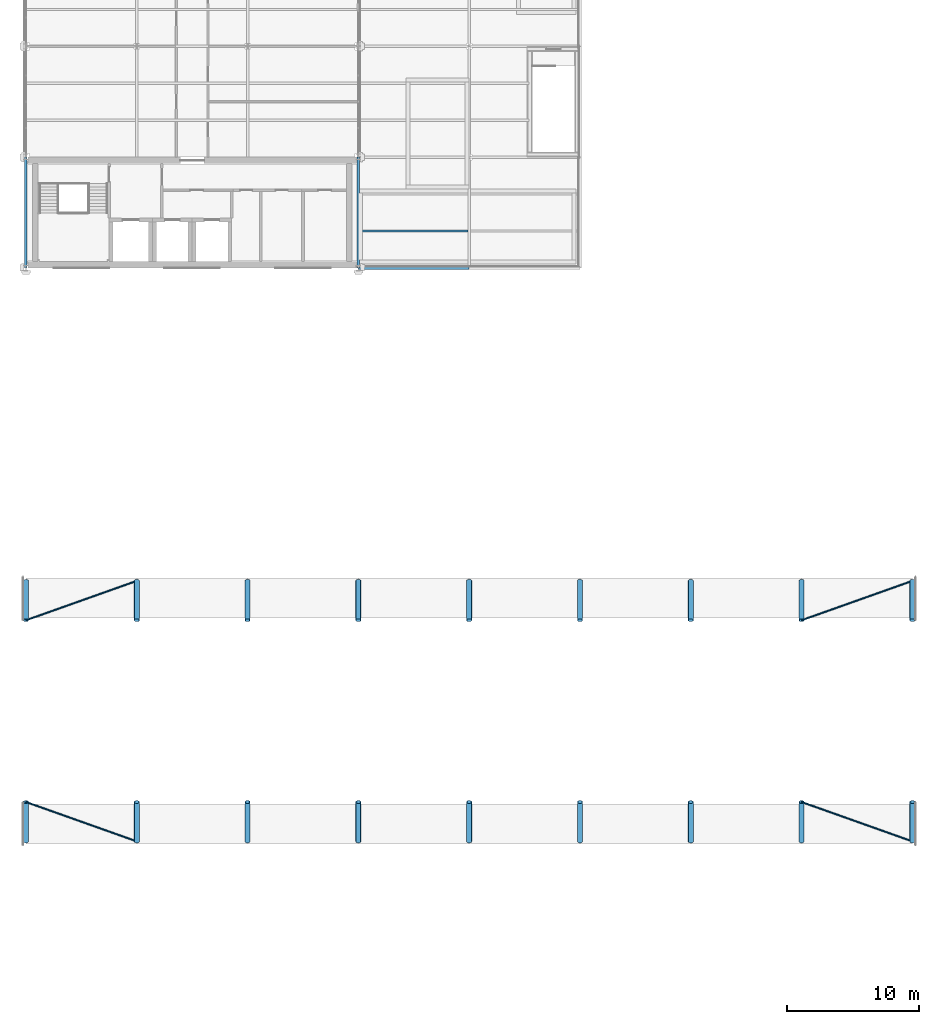
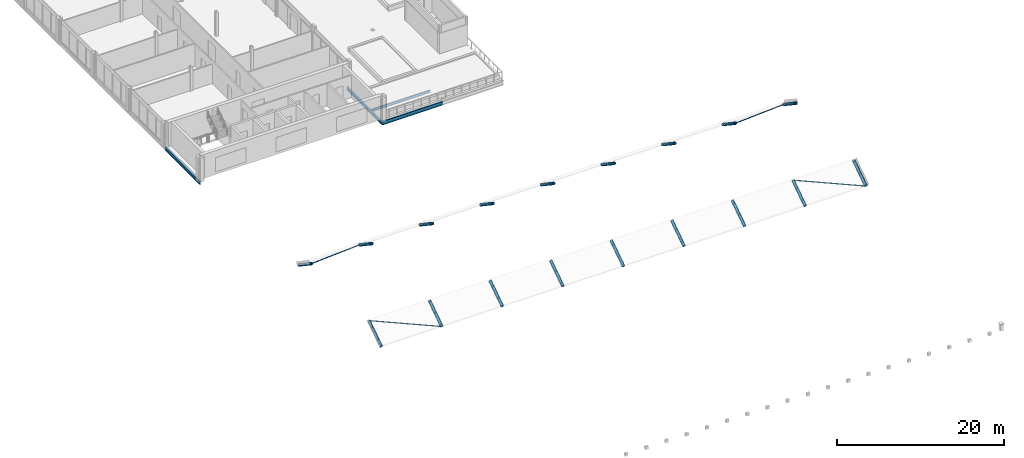
# One storey, part 3 of 32: 22 members, 4 beams.
"""IFC4 building model written with IfcOpenShell, lengths in metres."""

from ifc_helpers import new_model, si_unit, direction, frame, origin, origin_2d, place, context, subcontext, project, spatial, hollow_circle, i_section, extrude, material, material_profile, profile_set, type_object, element, save


model = new_model("IFC4")

# Units and contexts
model_context = context("Model", 3, precision=1e-05, world=origin(), true_north=direction((0.0, 1.0)))
body_context = subcontext(model_context, "Body", "Model", "MODEL_VIEW")
ifc_project = project(units=[si_unit("LENGTHUNIT", "METRE"), si_unit("AREAUNIT", "SQUARE_METRE"), si_unit("VOLUMEUNIT", "CUBIC_METRE"), si_unit("PLANEANGLEUNIT", "RADIAN"), si_unit("MASSUNIT", "GRAM", prefix="KILO")], contexts=[model_context])

# Site, building, storey
site_placement = place(None, origin())
site = spatial("IfcSite", under=ifc_project, at=site_placement, CompositionType="ELEMENT")
building_placement = place(site_placement, origin())
building = spatial("IfcBuilding", under=site, at=building_placement, Name="Catenary Quay Ferry Terminal", CompositionType="ELEMENT")
storey_placement = place(building_placement, frame((0.0, 0.0, 17.10009765625)))
storey = spatial("IfcBuildingStorey", under=building, at=storey_placement, Name="L03", CompositionType="ELEMENT", Elevation=17.10009765625)

# Beams
ifc_material_1 = material(Name="Steel S355", Category="steel")
ifc_material_profile_1 = material_profile(ifc_material_1, i_section(OverallWidth=0.18994140625, OverallDepth=0.453369140625, WebThickness=0.008544921875, FlangeThickness=0.0126953125, at=origin_2d()), Name="UB 457x191x67")
ifc_profile_set_1 = profile_set([ifc_material_profile_1], Name="Steel S355")
beam_type_1 = type_object("IfcBeamType", Name="B1 UB 457x191x67", PredefinedType="BEAM", material=ifc_profile_set_1)
for number, where, z_axis, x_axis, name in (
    (1, (25.199951171875, 159.60009765625, -0.47705078125), (0.0, 1.0, 0.0), (-1.0, 0.0, 0.0), "Beam B1-010"),
    (2, (50.39990234375, 159.60009765625, -0.47705078125), (0.0, 1.0, 0.0), (-1.0, 0.0, 0.0), "Beam B1-016"),
):
    element("IfcBeam", number, at=place(storey_placement, frame(where, z_axis=z_axis, x_axis=x_axis)), inside=storey, type_object=beam_type_1, Name=name, PredefinedType="BEAM", context=body_context, shape_type="SweptSolid", body=[
        extrude(i_section(OverallWidth=0.18994140625, OverallDepth=0.453369140625, WebThickness=0.008544921875, FlangeThickness=0.0126953125, at=origin_2d()), origin(), (0.0, 0.0, 1.0), 8.39990234375),
    ])
ifc_material_2 = material(Name="Steel S355", Category="steel")
ifc_material_profile_2 = material_profile(ifc_material_2, i_section(OverallWidth=0.208740234375, OverallDepth=0.5283203125, WebThickness=0.009521484375, FlangeThickness=0.01318359375, at=origin_2d()), Name="UB 533x210x82")
ifc_profile_set_2 = profile_set([ifc_material_profile_2], Name="Steel S355")
beam_type_2 = type_object("IfcBeamType", Name="B5 UB 533x210x82", PredefinedType="BEAM", material=ifc_profile_set_2)
beam_1_placement = place(storey_placement, frame((50.39990234375, 159.60009765625, -0.51416015625), z_axis=(1.0, 0.0, 0.0), x_axis=(0.0, 1.0, 0.0)))
element("IfcBeam", 3, at=beam_1_placement, inside=storey, type_object=beam_type_2, Name="Beam B5-001", PredefinedType="BEAM", context=body_context, shape_type="SweptSolid", body=[
    extrude(i_section(OverallWidth=0.208740234375, OverallDepth=0.5283203125, WebThickness=0.009521484375, FlangeThickness=0.01318359375, at=origin_2d()), origin(), (0.0, 0.0, 1.0), 8.400146484375),
])
ifc_material_3 = material(Name="Steel S355", Category="steel")
ifc_material_profile_3 = material_profile(ifc_material_3, i_section(OverallWidth=0.169921875, OverallDepth=0.360107421875, WebThickness=0.008056640625, FlangeThickness=0.0126953125, at=origin_2d()), Name="IPE 360")
ifc_profile_set_3 = profile_set([ifc_material_profile_3], Name="Steel S355")
beam_type_3 = type_object("IfcBeamType", Name="B7 IPE 360", PredefinedType="BEAM", material=ifc_profile_set_3)
beam_2_placement = place(storey_placement, frame((50.4951171875, 162.39990234375, -0.43017578125), z_axis=(1.0, 0.0, 0.0), x_axis=(0.0, 1.0, 0.0)))
element("IfcBeam", 4, at=beam_2_placement, inside=storey, type_object=beam_type_3, Name="Beam B7-001", PredefinedType="BEAM", context=body_context, shape_type="SweptSolid", body=[
    extrude(i_section(OverallWidth=0.169921875, OverallDepth=0.360107421875, WebThickness=0.008056640625, FlangeThickness=0.0126953125, at=origin_2d()), origin(), (0.0, 0.0, 1.0), 8.200927734375),
])

# Members
ifc_material_4 = material(Name="Steel S355", Category="steel")
ifc_material_profile_4 = material_profile(ifc_material_4, hollow_circle(Radius=0.06982421875, WallThickness=0.008056640625, at=origin_2d()), Name="CHS 139.7x8")
ifc_profile_set_4 = profile_set([ifc_material_profile_4], Name="Steel S355")
member_type_1 = type_object("IfcMemberType", Name="BR1 CHS 139.7x8", PredefinedType="BRACE", material=ifc_profile_set_4)
for number, where, z_axis, x_axis, name in (
    (5, (33.60009765625, 116.1259765625, 1.889892578125), (-0.919514599276, 0.326655243031, 0.218607533993), (-0.33475193348, -0.942306289394, 0.0), "Roof brace BR-VD-01-04"),
    (6, (25.199951171875, 132.889892578125, 3.886962890625), (0.919514599276, 0.326655243031, -0.218607533993), (-0.33475193348, 0.942306289394, 0.0), "Roof brace BR-VD-01-09"),
):
    element("IfcMember", number, at=place(storey_placement, frame(where, z_axis=z_axis, x_axis=x_axis)), inside=storey, type_object=member_type_1, Name=name, PredefinedType="BRACE", context=body_context, shape_type="SweptSolid", body=[
        extrude(hollow_circle(Radius=0.06982421875, WallThickness=0.008056640625, at=origin_2d()), origin(), (0.0, 0.0, 1.0), 9.135498046875),
    ])
for number, where, z_axis, x_axis, name in (
    (7, (92.39990234375, 116.1259765625, 1.889892578125), (-0.919510470357, 0.326663270336, 0.218612906107), (-0.334760572629, -0.942303220313, 0.0), "Roof brace BR-VD-08-04"),
    (8, (84.0, 132.889892578125, 3.886962890625), (0.919510470357, 0.326663270336, -0.218612906107), (-0.334760572629, 0.942303220313, 0.0), "Roof brace BR-VD-08-09"),
):
    element("IfcMember", number, at=place(storey_placement, frame(where, z_axis=z_axis, x_axis=x_axis)), inside=storey, type_object=member_type_1, Name=name, PredefinedType="BRACE", context=body_context, shape_type="SweptSolid", body=[
        extrude(hollow_circle(Radius=0.06982421875, WallThickness=0.008056640625, at=origin_2d()), origin(), (0.0, 0.0, 1.0), 9.13525390625),
    ])
ifc_material_5 = material(Name="Steel S355", Category="steel")
ifc_material_profile_5 = material_profile(ifc_material_5, hollow_circle(Radius=0.203125, WallThickness=0.01611328125, at=origin_2d()), Name="CHS 406.4x16")
ifc_profile_set_5 = profile_set([ifc_material_profile_5], Name="Steel S355")
member_type_2 = type_object("IfcMemberType", Name="VR3 CHS 406.4x16", PredefinedType="RAFTER", material=ifc_profile_set_5)
for number, where, z_axis, x_axis, name in (
    (9, (25.199951171875, 116.1259765625, 1.889892578125), (0.0, 0.831065718787, 0.55617422725), (-1.0, 0.0, 0.0), "Vault rib VD-01-04"),
    (10, (25.199951171875, 132.889892578125, 3.886962890625), (0.0, 0.831065718787, -0.55617422725), (-1.0, 0.0, 0.0), "Vault rib VD-01-09"),
    (11, (33.60009765625, 116.1259765625, 1.889892578125), (0.0, 0.831065718787, 0.55617422725), (-1.0, 0.0, 0.0), "Vault rib VD-02-04"),
    (12, (33.60009765625, 132.889892578125, 3.886962890625), (0.0, 0.831065718787, -0.55617422725), (-1.0, 0.0, 0.0), "Vault rib VD-02-09"),
    (13, (42.0, 116.1259765625, 1.889892578125), (0.0, 0.831065718787, 0.55617422725), (-1.0, 0.0, 0.0), "Vault rib VD-03-04"),
    (14, (42.0, 132.889892578125, 3.886962890625), (0.0, 0.831065718787, -0.55617422725), (-1.0, 0.0, 0.0), "Vault rib VD-03-09"),
    (15, (50.39990234375, 116.1259765625, 1.889892578125), (0.0, 0.831065718787, 0.55617422725), (-1.0, 0.0, 0.0), "Vault rib VD-04-04"),
    (16, (50.39990234375, 132.889892578125, 3.886962890625), (0.0, 0.831065718787, -0.55617422725), (-1.0, 0.0, 0.0), "Vault rib VD-04-09"),
    (17, (58.800048828125, 116.1259765625, 1.889892578125), (0.0, 0.831065718787, 0.55617422725), (-1.0, 0.0, 0.0), "Vault rib VD-05-04"),
    (18, (58.800048828125, 132.889892578125, 3.886962890625), (0.0, 0.831065718787, -0.55617422725), (-1.0, 0.0, 0.0), "Vault rib VD-05-09"),
    (19, (67.199951171875, 116.1259765625, 1.889892578125), (0.0, 0.831065718787, 0.55617422725), (-1.0, 0.0, 0.0), "Vault rib VD-06-04"),
    (20, (67.199951171875, 132.889892578125, 3.886962890625), (0.0, 0.831065718787, -0.55617422725), (-1.0, 0.0, 0.0), "Vault rib VD-06-09"),
    (21, (75.60009765625, 116.1259765625, 1.889892578125), (0.0, 0.831065718787, 0.55617422725), (-1.0, 0.0, 0.0), "Vault rib VD-07-04"),
    (22, (75.60009765625, 132.889892578125, 3.886962890625), (0.0, 0.831065718787, -0.55617422725), (-1.0, 0.0, 0.0), "Vault rib VD-07-09"),
    (23, (84.0, 116.1259765625, 1.889892578125), (0.0, 0.831065718787, 0.55617422725), (-1.0, 0.0, 0.0), "Vault rib VD-08-04"),
    (24, (84.0, 132.889892578125, 3.886962890625), (0.0, 0.831065718787, -0.55617422725), (-1.0, 0.0, 0.0), "Vault rib VD-08-09"),
    (25, (92.39990234375, 116.1259765625, 1.889892578125), (0.0, 0.831065718787, 0.55617422725), (-1.0, 0.0, 0.0), "Vault rib VD-09-04"),
    (26, (92.39990234375, 132.889892578125, 3.886962890625), (0.0, 0.831065718787, -0.55617422725), (-1.0, 0.0, 0.0), "Vault rib VD-09-09"),
):
    element("IfcMember", number, at=place(storey_placement, frame(where, z_axis=z_axis, x_axis=x_axis)), inside=storey, type_object=member_type_2, Name=name, PredefinedType="RAFTER", context=body_context, shape_type="SweptSolid", body=[
        extrude(hollow_circle(Radius=0.203125, WallThickness=0.01611328125, at=origin_2d()), origin(), (0.0, 0.0, 1.0), 3.5908203125),
    ])

save(model, "model.ifc")
